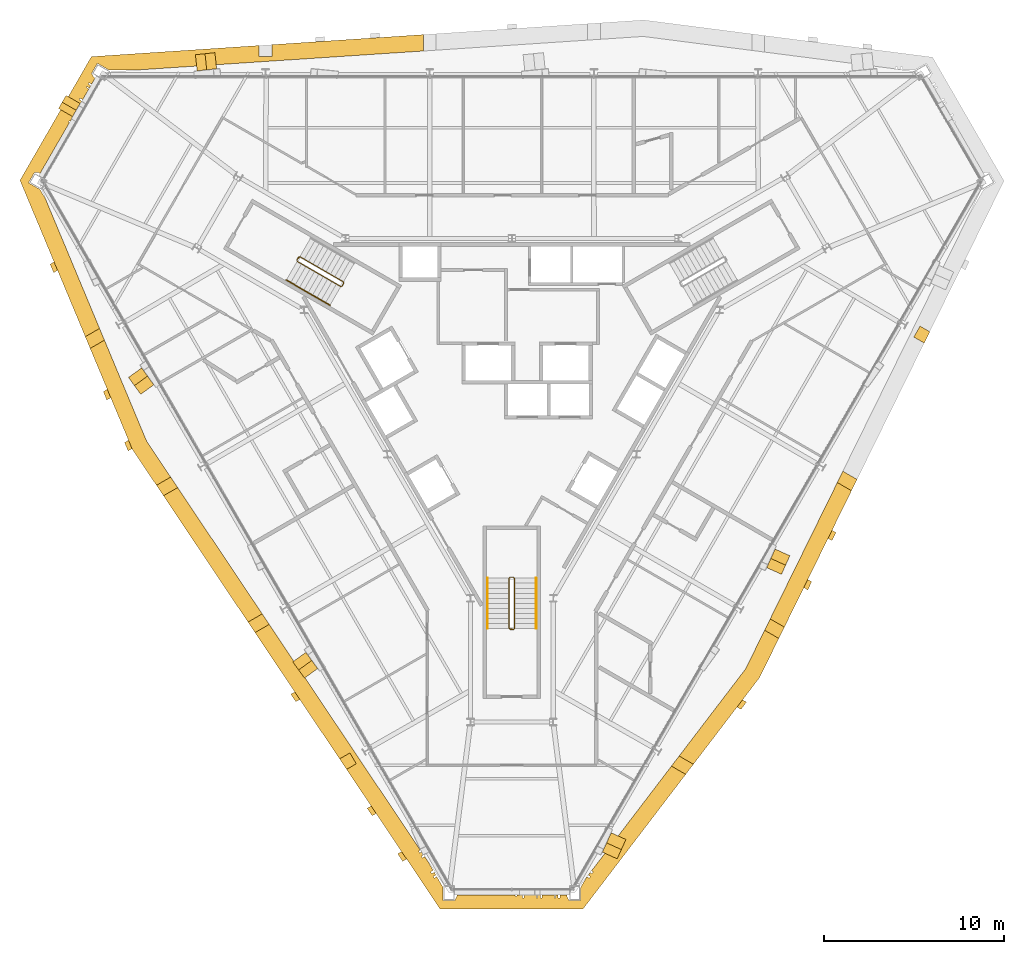
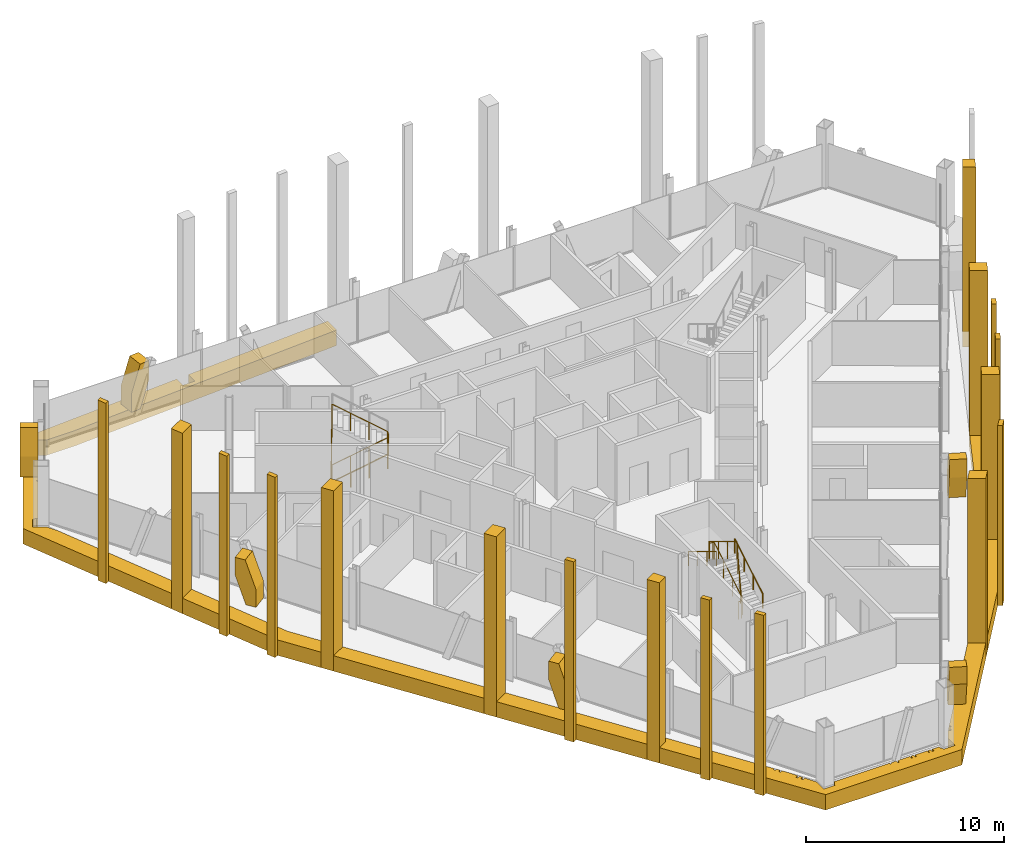
# One storey, part 15 of 16: 29 coverings, 5 railings.
"""IFC4 building model written with IfcOpenShell, lengths in metres."""

from ifc_helpers import new_model, si_unit, direction, frame, origin, origin_2d, place, context, subcontext, project, spatial, polyline, circle, outline, extrude, material, layer, layer_set, type_object, element, save


model = new_model("IFC4")

# Units and contexts
model_context = context("Model", 3, precision=1e-05, world=origin(), true_north=direction((0.0, 1.0)))
body_context = subcontext(model_context, "Body", "Model", "MODEL_VIEW")
ifc_project = project(units=[si_unit("LENGTHUNIT", "METRE"), si_unit("AREAUNIT", "SQUARE_METRE"), si_unit("VOLUMEUNIT", "CUBIC_METRE"), si_unit("PLANEANGLEUNIT", "RADIAN"), si_unit("MASSUNIT", "GRAM", prefix="KILO")], contexts=[model_context])

# Site, building, storey
site_placement = place(None, origin())
site = spatial("IfcSite", under=ifc_project, at=site_placement, CompositionType="ELEMENT")
building_placement = place(site_placement, origin())
building = spatial("IfcBuilding", under=site, at=building_placement, Name="Verrane Prism Tower", CompositionType="ELEMENT")
storey_placement = place(building_placement, frame((0.0, 0.0, 247.10009765625)))
storey = spatial("IfcBuildingStorey", under=building, at=storey_placement, Name="L62", CompositionType="ELEMENT", Elevation=247.10009765625)

# Railings
ifc_material_1 = material(Name="Steel A36 rail and posts, no infill", Category="steel")
railing_type_1 = type_object("IfcRailingType", Name="Stair guard 1100 steel rail and posts", PredefinedType="GUARDRAIL", material=ifc_material_1)
railing_1_placement = place(storey_placement, frame((-11.939453125, 6.72021484375, 0.16796875)))
element("IfcRailing", 1, at=railing_1_placement, inside=storey, type_object=railing_type_1, Name="Stair 2 guard", PredefinedType="GUARDRAIL", context=body_context, shape_type="SweptSolid", body=[
    extrude(circle(Radius=0.02392578125, at=origin_2d()), frame((0.0, 0.0, 1.076171875), z_axis=(0.742366697286, -0.42866220388, 0.514917859203), x_axis=(0.500049511043, 0.865996816683, 0.0)), (0.0, 0.0, 1.0), 3.266357421875),
    extrude(circle(Radius=0.02392578125, at=origin_2d()), frame((2.4248046875, -1.400146484375, 2.7578125), z_axis=(0.965948051503, 0.258736085224, 0.0), x_axis=(-0.258736085224, 0.965948051503, 0.0)), (0.0, 0.0, 1.0), 0.07080078125),
    extrude(circle(Radius=0.02392578125, at=origin_2d()), frame((2.4931640625, -1.3818359375, 2.7578125), z_axis=(0.499158860599, 0.866510491504, 0.0), x_axis=(-0.866510491504, 0.499158860599, 0.0)), (0.0, 0.0, 1.0), 0.199951171875),
    extrude(circle(Radius=0.02392578125, at=origin_2d()), frame((2.593017578125, -1.20849609375, 2.7578125), z_axis=(-0.100385596638, 0.373434419493, 0.922209014446), x_axis=(-0.965715946433, -0.259601060869, 0.0)), (0.0, 0.0, 1.0), 0.182373046875),
    extrude(circle(Radius=0.02392578125, at=origin_2d()), frame((2.57470703125, -1.140380859375, 2.92626953125), z_axis=(-0.742366697286, 0.42866220388, 0.514917859203), x_axis=(-0.500049511043, -0.865996816683, 0.0)), (0.0, 0.0, 1.0), 3.266357421875),
    extrude(circle(Radius=0.02392578125, at=origin_2d()), frame((0.14990234375, 0.259765625, 4.60791015625), z_axis=(-0.04535595117, -0.051675503147, -0.99763343973), x_axis=(0.751567565678, -0.659656118156, 0.0)), (0.0, 0.0, 1.0), 3.708740234375),
    extrude(circle(Radius=0.02392578125, at=origin_2d()), frame((-0.018310546875, 0.068115234375, 0.908203125), z_axis=(0.499158860599, 0.866510491504, 0.0), x_axis=(-0.866510491504, 0.499158860599, 0.0)), (0.0, 0.0, 1.0), 0.199951171875),
    extrude(circle(Radius=0.02099609375, at=origin_2d()), origin(), (0.0, 0.0, 1.0), 1.052001953125),
    extrude(circle(Radius=0.02099609375, at=origin_2d()), frame((0.808349609375, -0.466796875, 0.560546875)), (0.0, 0.0, 1.0), 1.052001953125),
    extrude(circle(Radius=0.02099609375, at=origin_2d()), frame((1.616455078125, -0.933349609375, 1.121337890625)), (0.0, 0.0, 1.0), 1.052001953125),
    extrude(circle(Radius=0.02099609375, at=origin_2d()), frame((2.4248046875, -1.400146484375, 1.681884765625)), (0.0, 0.0, 1.0), 1.052001953125),
    extrude(circle(Radius=0.02099609375, at=origin_2d()), frame((2.4931640625, -1.3818359375, 1.681884765625)), (0.0, 0.0, 1.0), 1.052001953125),
    extrude(circle(Radius=0.02099609375, at=origin_2d()), frame((2.593017578125, -1.20849609375, 1.681884765625)), (0.0, 0.0, 1.0), 1.052001953125),
    extrude(circle(Radius=0.02099609375, at=origin_2d()), frame((2.57470703125, -1.140380859375, 1.85009765625)), (0.0, 0.0, 1.0), 1.052001953125),
    extrude(circle(Radius=0.02099609375, at=origin_2d()), frame((1.766357421875, -0.673583984375, 2.41064453125)), (0.0, 0.0, 1.0), 1.052001953125),
    extrude(circle(Radius=0.02099609375, at=origin_2d()), frame((0.958251953125, -0.20703125, 2.971435546875)), (0.0, 0.0, 1.0), 1.052001953125),
    extrude(circle(Radius=0.02099609375, at=origin_2d()), frame((0.14990234375, 0.259765625, 3.531982421875)), (0.0, 0.0, 1.0), 1.052001953125),
    extrude(circle(Radius=0.02099609375, at=origin_2d()), frame((0.10791015625, 0.2119140625, 2.60693359375)), (0.0, 0.0, 1.0), 1.052001953125),
    extrude(circle(Radius=0.02099609375, at=origin_2d()), frame((0.06591796875, 0.1640625, 1.68212890625)), (0.0, 0.0, 1.0), 1.052001953125),
    extrude(circle(Radius=0.02099609375, at=origin_2d()), frame((0.023681640625, 0.115966796875, 0.757080078125)), (0.0, 0.0, 1.0), 1.052001953125),
    extrude(circle(Radius=0.02099609375, at=origin_2d()), frame((-0.018310546875, 0.068115234375, -0.16796875)), (0.0, 0.0, 1.0), 1.052001953125),
    extrude(circle(Radius=0.02099609375, at=origin_2d()), frame((0.08154296875, 0.241455078125, -0.16796875)), (0.0, 0.0, 1.0), 1.052001953125),
])
railing_2_placement = place(storey_placement, frame((0.14990234375, -13.699951171875, 0.16796875)))
element("IfcRailing", 2, at=railing_2_placement, inside=storey, type_object=railing_type_1, Name="Stair 3 guard", PredefinedType="GUARDRAIL", context=body_context, shape_type="SweptSolid", body=[
    extrude(circle(Radius=0.02392578125, at=origin_2d()), frame((0.0, 0.0, 1.076171875), z_axis=(0.0, 0.857242210791, 0.514913383045), x_axis=(-1.0, 0.0, 0.0)), (0.0, 0.0, 1.0), 3.266357421875),
    extrude(circle(Radius=0.02392578125, at=origin_2d()), frame((0.0, 2.800048828125, 2.7578125), z_axis=(-0.707106781187, 0.707106781187, 0.0), x_axis=(-0.707106781187, -0.707106781187, 0.0)), (0.0, 0.0, 1.0), 0.0703125),
    extrude(circle(Radius=0.02392578125, at=origin_2d()), frame((-0.0498046875, 2.849853515625, 2.7578125), z_axis=(-1.0, 0.0, 0.0), x_axis=(0.0, -1.0, 0.0)), (0.0, 0.0, 1.0), 0.2001953125),
    extrude(circle(Radius=0.02392578125, at=origin_2d()), frame((-0.25, 2.849853515625, 2.7578125), z_axis=(-0.273106073848, -0.273106073848, 0.922402376869), x_axis=(0.707106781187, -0.707106781187, 0.0)), (0.0, 0.0, 1.0), 0.182373046875),
    extrude(circle(Radius=0.02392578125, at=origin_2d()), frame((-0.2998046875, 2.800048828125, 2.92626953125), z_axis=(0.0, -0.857242210791, 0.514913383045), x_axis=(1.0, 0.0, 0.0)), (0.0, 0.0, 1.0), 3.266357421875),
    extrude(circle(Radius=0.02392578125, at=origin_2d()), frame((-0.2998046875, 0.0, 4.60791015625), z_axis=(0.067408604812, -0.013494886706, -0.997634185476), x_axis=(0.196300278283, 0.98054382908, 0.0)), (0.0, 0.0, 1.0), 3.708740234375),
    extrude(circle(Radius=0.02392578125, at=origin_2d()), frame((-0.0498046875, -0.050048828125, 0.908203125), z_axis=(-1.0, 0.0, 0.0), x_axis=(0.0, -1.0, 0.0)), (0.0, 0.0, 1.0), 0.2001953125),
    extrude(circle(Radius=0.02099609375, at=origin_2d()), origin(), (0.0, 0.0, 1.0), 1.052001953125),
    extrude(circle(Radius=0.02099609375, at=origin_2d()), frame((0.0, 0.933349609375, 0.560546875)), (0.0, 0.0, 1.0), 1.052001953125),
    extrude(circle(Radius=0.02099609375, at=origin_2d()), frame((0.0, 1.86669921875, 1.121337890625)), (0.0, 0.0, 1.0), 1.052001953125),
    extrude(circle(Radius=0.02099609375, at=origin_2d()), frame((0.0, 2.800048828125, 1.681884765625)), (0.0, 0.0, 1.0), 1.052001953125),
    extrude(circle(Radius=0.02099609375, at=origin_2d()), frame((-0.0498046875, 2.849853515625, 1.681884765625)), (0.0, 0.0, 1.0), 1.052001953125),
    extrude(circle(Radius=0.02099609375, at=origin_2d()), frame((-0.25, 2.849853515625, 1.681884765625)), (0.0, 0.0, 1.0), 1.052001953125),
    extrude(circle(Radius=0.02099609375, at=origin_2d()), frame((-0.2998046875, 2.800048828125, 1.85009765625)), (0.0, 0.0, 1.0), 1.052001953125),
    extrude(circle(Radius=0.02099609375, at=origin_2d()), frame((-0.2998046875, 1.86669921875, 2.41064453125)), (0.0, 0.0, 1.0), 1.052001953125),
    extrude(circle(Radius=0.02099609375, at=origin_2d()), frame((-0.2998046875, 0.933349609375, 2.971435546875)), (0.0, 0.0, 1.0), 1.052001953125),
    extrude(circle(Radius=0.02099609375, at=origin_2d()), frame((-0.2998046875, 0.0, 3.531982421875)), (0.0, 0.0, 1.0), 1.052001953125),
    extrude(circle(Radius=0.02099609375, at=origin_2d()), frame((-0.2373046875, -0.012451171875, 2.60693359375)), (0.0, 0.0, 1.0), 1.052001953125),
    extrude(circle(Radius=0.02099609375, at=origin_2d()), frame((-0.1748046875, -0.02490234375, 1.68212890625)), (0.0, 0.0, 1.0), 1.052001953125),
    extrude(circle(Radius=0.02099609375, at=origin_2d()), frame((-0.1123046875, -0.03759765625, 0.757080078125)), (0.0, 0.0, 1.0), 1.052001953125),
    extrude(circle(Radius=0.02099609375, at=origin_2d()), frame((-0.0498046875, -0.050048828125, -0.16796875)), (0.0, 0.0, 1.0), 1.052001953125),
    extrude(circle(Radius=0.02099609375, at=origin_2d()), frame((-0.25, -0.050048828125, -0.16796875)), (0.0, 0.0, 1.0), 1.052001953125),
])
ifc_material_2 = material(Name="Steel A36 tube", Category="steel")
railing_type_2 = type_object("IfcRailingType", Name="Stair handrail 900 steel tube", PredefinedType="HANDRAIL", material=ifc_material_2)
railing_3_placement = place(storey_placement, frame((-12.53955078125, 5.680908203125, 0.16796875)))
element("IfcRailing", 3, at=railing_3_placement, inside=storey, type_object=railing_type_2, Name="Stair 2 handrail", PredefinedType="HANDRAIL", context=body_context, shape_type="SweptSolid", body=[
    extrude(circle(Radius=0.02392578125, at=origin_2d()), frame((0.0, 0.0, 0.8759765625), z_axis=(0.742366697286, -0.42866220388, 0.514917859203), x_axis=(0.500049511043, 0.865996816683, 0.0)), (0.0, 0.0, 1.0), 3.266357421875),
    extrude(circle(Radius=0.02099609375, at=origin_2d()), origin(), (0.0, 0.0, 1.0), 0.851806640625),
    extrude(circle(Radius=0.02099609375, at=origin_2d()), frame((0.808349609375, -0.466796875, 0.560546875)), (0.0, 0.0, 1.0), 0.851806640625),
    extrude(circle(Radius=0.02099609375, at=origin_2d()), frame((1.616455078125, -0.933349609375, 1.121337890625)), (0.0, 0.0, 1.0), 0.851806640625),
    extrude(circle(Radius=0.02099609375, at=origin_2d()), frame((2.4248046875, -1.400146484375, 1.681884765625)), (0.0, 0.0, 1.0), 0.851806640625),
])
railing_4_placement = place(storey_placement, frame((1.35009765625, -13.699951171875, 0.16796875)))
element("IfcRailing", 4, at=railing_4_placement, inside=storey, type_object=railing_type_2, Name="Stair 3 handrail", PredefinedType="HANDRAIL", context=body_context, shape_type="SweptSolid", body=[
    extrude(circle(Radius=0.02392578125, at=origin_2d()), frame((0.0, 0.0, 0.8759765625), z_axis=(0.0, 0.857242210791, 0.514913383045), x_axis=(-1.0, 0.0, 0.0)), (0.0, 0.0, 1.0), 3.266357421875),
    extrude(circle(Radius=0.02099609375, at=origin_2d()), origin(), (0.0, 0.0, 1.0), 0.851806640625),
    extrude(circle(Radius=0.02099609375, at=origin_2d()), frame((0.0, 0.933349609375, 0.560546875)), (0.0, 0.0, 1.0), 0.851806640625),
    extrude(circle(Radius=0.02099609375, at=origin_2d()), frame((0.0, 1.86669921875, 1.121337890625)), (0.0, 0.0, 1.0), 0.851806640625),
    extrude(circle(Radius=0.02099609375, at=origin_2d()), frame((0.0, 2.800048828125, 1.681884765625)), (0.0, 0.0, 1.0), 0.851806640625),
])
railing_5_placement = place(storey_placement, frame((-1.35009765625, -10.89990234375, 2.01806640625)))
element("IfcRailing", 5, at=railing_5_placement, inside=storey, type_object=railing_type_2, Name="Stair 3 handrail", PredefinedType="HANDRAIL", context=body_context, shape_type="SweptSolid", body=[
    extrude(circle(Radius=0.02392578125, at=origin_2d()), frame((0.0, 0.0, 0.8759765625), z_axis=(0.0, -0.857242210791, 0.514913383045), x_axis=(1.0, 0.0, 0.0)), (0.0, 0.0, 1.0), 3.266357421875),
    extrude(circle(Radius=0.02099609375, at=origin_2d()), origin(), (0.0, 0.0, 1.0), 0.851806640625),
    extrude(circle(Radius=0.02099609375, at=origin_2d()), frame((0.0, -0.933349609375, 0.560546875)), (0.0, 0.0, 1.0), 0.851806640625),
    extrude(circle(Radius=0.02099609375, at=origin_2d()), frame((0.0, -1.86669921875, 1.121337890625)), (0.0, 0.0, 1.0), 0.851806640625),
    extrude(circle(Radius=0.02099609375, at=origin_2d()), frame((0.0, -2.800048828125, 1.681884765625)), (0.0, 0.0, 1.0), 0.851806640625),
])

# Coverings
ifc_material_3 = material(Name="Warm limestone cladding", Category="masonry")
ifc_layer_1 = layer(ifc_material_3, 0.89990234375)
ifc_layer_set_1 = layer_set([ifc_layer_1], Name="Stone brace fin 900")
covering_type_1 = type_object("IfcCoveringType", Name="Stone brace fin 900", PredefinedType="CLADDING", material=ifc_layer_set_1)
covering_1_placement = place(storey_placement, frame((-17.54931640625, 17.76416015625, 0.0), z_axis=(0.0, 0.0, 1.0), x_axis=(0.994389414764, 0.105781339592, 0.0)))
element("IfcCovering", 6, at=covering_1_placement, inside=storey, type_object=covering_type_1, Name="Stone brace fin N5 L62", PredefinedType="CLADDING", context=body_context, shape_type="SweptSolid", body=[
    extrude(outline(polyline([(1.089599609375, 2.75), (0.535888671875, 2.75), (0.0, 1.177978515625), (0.0, 0.0), (0.54931640625, 0.0), (1.089599609375, 1.584716796875), (1.089599609375, 2.75)])), frame((0.0, 0.449951171875, 0.0), z_axis=(0.0, -1.0, 0.0), x_axis=(1.0, 0.0, 0.0)), (0.0, 0.0, 1.0), 0.89990234375),
])
covering_2_placement = place(storey_placement, frame((-20.278076171875, -0.4091796875, 0.0), z_axis=(0.0, 0.0, 1.0), x_axis=(-0.583013906426, 0.812462174451, 0.0)))
element("IfcCovering", 7, at=covering_2_placement, inside=storey, type_object=covering_type_1, Name="Stone brace fin SW2 L62", PredefinedType="CLADDING", context=body_context, shape_type="SweptSolid", body=[
    extrude(outline(polyline([(1.156982421875, 2.75), (0.59521484375, 2.75), (0.0, 1.10546875), (0.0, 0.0), (0.556884765625, 0.0), (1.156982421875, 1.6572265625), (1.156982421875, 2.75)])), frame((0.0, 0.449951171875, 0.0), z_axis=(0.0, -1.0, 0.0), x_axis=(1.0, 0.0, 0.0)), (0.0, 0.0, 1.0), 0.89990234375),
])
covering_3_placement = place(storey_placement, frame((-11.166015625, -16.189208984375, 0.0), z_axis=(0.0, 0.0, 1.0), x_axis=(-0.587492692332, 0.809229470828, 0.0)))
element("IfcCovering", 8, at=covering_3_placement, inside=storey, type_object=covering_type_1, Name="Stone brace fin SW4 L62", PredefinedType="CLADDING", context=body_context, shape_type="SweptSolid", body=[
    extrude(outline(polyline([(1.112060546875, 2.75), (0.5556640625, 2.75), (0.0, 1.152587890625), (0.0, 0.0), (0.552001953125, 0.0), (1.112060546875, 1.610107421875), (1.112060546875, 2.75)])), frame((0.0, 0.449951171875, 0.0), z_axis=(0.0, -1.0, 0.0), x_axis=(1.0, 0.0, 0.0)), (0.0, 0.0, 1.0), 0.89990234375),
])
covering_4_placement = place(storey_placement, frame((5.935302734375, -25.2451171875, 0.0), z_axis=(0.0, 0.0, 1.0), x_axis=(-0.41374063001, -0.910394799567, 0.0)))
element("IfcCovering", 9, at=covering_4_placement, inside=storey, type_object=covering_type_1, Name="Stone brace fin SE1 L62", PredefinedType="CLADDING", context=body_context, shape_type="SweptSolid", body=[
    extrude(outline(polyline([(1.180908203125, 2.75), (0.616455078125, 2.75), (0.0, 1.08154296875), (0.0, 0.0), (0.559814453125, 0.0), (1.180908203125, 1.680908203125), (1.180908203125, 2.75)])), frame((0.0, 0.449951171875, 0.0), z_axis=(0.0, -1.0, 0.0), x_axis=(1.0, 0.0, 0.0)), (0.0, 0.0, 1.0), 0.89990234375),
])
covering_5_placement = place(storey_placement, frame((15.050537109375, -9.465087890625, 0.0), z_axis=(0.0, 0.0, 1.0), x_axis=(-0.409290681617, -0.912404043142, 0.0)))
element("IfcCovering", 10, at=covering_5_placement, inside=storey, type_object=covering_type_1, Name="Stone brace fin SE3 L62", PredefinedType="CLADDING", context=body_context, shape_type="SweptSolid", body=[
    extrude(outline(polyline([(1.134521484375, 2.75), (0.57568359375, 2.75), (0.0, 1.12841796875), (0.0, 0.0), (0.554443359375, 0.0), (1.134521484375, 1.63427734375), (1.134521484375, 2.75)])), frame((0.0, 0.449951171875, 0.0), z_axis=(0.0, -1.0, 0.0), x_axis=(1.0, 0.0, 0.0)), (0.0, 0.0, 1.0), 0.89990234375),
])
covering_6_placement = place(storey_placement, frame((-24.822021484375, 14.998779296875, 0.0), z_axis=(0.0, 0.0, 1.0), x_axis=(0.499605169263, 0.866253239443, 0.0)))
element("IfcCovering", 11, at=covering_6_placement, inside=storey, type_object=covering_type_1, Name="Stone brace fin NW1 L62", PredefinedType="CLADDING", context=body_context, shape_type="SweptSolid", body=[
    extrude(outline(polyline([(0.8408203125, 2.75), (0.40380859375, 2.75), (0.0, 1.25732421875), (0.0, 0.0), (0.471435546875, 0.0), (0.8408203125, 1.365478515625), (0.8408203125, 2.75)])), frame((0.0, 0.449951171875, 0.0), z_axis=(0.0, -1.0, 0.0), x_axis=(1.0, 0.0, 0.0)), (0.0, 0.0, 1.0), 0.89990234375),
])
ifc_material_4 = material(Name="Warm limestone cladding", Category="masonry")
covering_type_2 = type_object("IfcCoveringType", Name="Stone mullion pier 500", PredefinedType="CLADDING", material=ifc_material_4)
covering_7_placement = place(storey_placement, frame((0.0, 0.0, -0.9501953125)))
element("IfcCovering", 12, at=covering_7_placement, inside=storey, type_object=covering_type_2, Name="Stone pier SM-SW0.1 L62-L64", PredefinedType="CLADDING", context=body_context, shape_type="SweptSolid", body=[
    extrude(outline(polyline([(-25.26318359375, 6.2216796875), (-25.45751953125, 6.68701171875), (-25.67578125, 6.560791015625), (-25.4814453125, 6.095703125), (-25.26318359375, 6.2216796875)])), origin(), (0.0, 0.0, 1.0), 11.10009765625),
])
covering_8_placement = place(storey_placement, frame((0.0, 0.0, -0.9501953125)))
element("IfcCovering", 13, at=covering_8_placement, inside=storey, type_object=covering_type_2, Name="Stone pier SM-SW1.1 L62-L64", PredefinedType="CLADDING", context=body_context, shape_type="SweptSolid", body=[
    extrude(outline(polyline([(-22.305908203125, -0.861083984375), (-22.500244140625, -0.39599609375), (-22.718505859375, -0.52197265625), (-22.5244140625, -0.987060546875), (-22.305908203125, -0.861083984375)])), origin(), (0.0, 0.0, 1.0), 11.10009765625),
])
covering_9_placement = place(storey_placement, frame((0.0, 0.0, -0.9501953125)))
element("IfcCovering", 14, at=covering_9_placement, inside=storey, type_object=covering_type_2, Name="Stone pier SM-SW1.2 L62-L64", PredefinedType="CLADDING", context=body_context, shape_type="SweptSolid", body=[
    extrude(outline(polyline([(-21.123291015625, -3.694091796875), (-21.3173828125, -3.22900390625), (-21.53564453125, -3.35498046875), (-21.341552734375, -3.8203125), (-21.123291015625, -3.694091796875)])), origin(), (0.0, 0.0, 1.0), 11.10009765625),
])
covering_10_placement = place(storey_placement, frame((0.0, 0.0, -0.9501953125)))
element("IfcCovering", 15, at=covering_10_placement, inside=storey, type_object=covering_type_2, Name="Stone pier SM-SW3.1 L62-L64", PredefinedType="CLADDING", context=body_context, shape_type="SweptSolid", body=[
    extrude(outline(polyline([(-11.791748046875, -17.644775390625), (-12.070556640625, -17.228271484375), (-12.28759765625, -17.353515625), (-12.0087890625, -17.77001953125), (-11.791748046875, -17.644775390625)])), origin(), (0.0, 0.0, 1.0), 11.10009765625),
])
covering_11_placement = place(storey_placement, frame((0.0, 0.0, -0.9501953125)))
element("IfcCovering", 16, at=covering_11_placement, inside=storey, type_object=covering_type_2, Name="Stone pier SM-SW4.1 L62-L64", PredefinedType="CLADDING", context=body_context, shape_type="SweptSolid", body=[
    extrude(outline(polyline([(-7.548095703125, -23.984619140625), (-7.826904296875, -23.568359375), (-8.0439453125, -23.693603515625), (-7.76513671875, -24.110107421875), (-7.548095703125, -23.984619140625)])), origin(), (0.0, 0.0, 1.0), 11.10009765625),
])
covering_12_placement = place(storey_placement, frame((0.0, 0.0, -0.9501953125)))
element("IfcCovering", 17, at=covering_12_placement, inside=storey, type_object=covering_type_2, Name="Stone pier SM-SW4.2 L62-L64", PredefinedType="CLADDING", context=body_context, shape_type="SweptSolid", body=[
    extrude(outline(polyline([(-5.8505859375, -26.520751953125), (-6.12939453125, -26.104248046875), (-6.346435546875, -26.2294921875), (-6.067626953125, -26.64599609375), (-5.8505859375, -26.520751953125)])), origin(), (0.0, 0.0, 1.0), 11.10009765625),
])
covering_13_placement = place(storey_placement, frame((0.0, 0.0, -0.9501953125)))
element("IfcCovering", 18, at=covering_13_placement, inside=storey, type_object=covering_type_2, Name="Stone pier SM-SE1.1 L62-L64", PredefinedType="CLADDING", context=body_context, shape_type="SweptSolid", body=[
    extrude(outline(polyline([(12.829833984375, -17.66650390625), (12.52392578125, -18.0673828125), (12.7421875, -18.193359375), (13.048095703125, -17.79248046875), (12.829833984375, -17.66650390625)])), origin(), (0.0, 0.0, 1.0), 11.10009765625),
])
covering_14_placement = place(storey_placement, frame((0.0, 0.0, -0.9501953125)))
element("IfcCovering", 19, at=covering_14_placement, inside=storey, type_object=covering_type_2, Name="Stone pier SM-SE2.1 L62-L64", PredefinedType="CLADDING", context=body_context, shape_type="SweptSolid", body=[
    extrude(outline(polyline([(16.460205078125, -10.97265625), (16.239013671875, -11.42236328125), (16.4560546875, -11.547607421875), (16.67724609375, -11.097900390625), (16.460205078125, -10.97265625)])), origin(), (0.0, 0.0, 1.0), 11.10009765625),
])
covering_15_placement = place(storey_placement, frame((0.0, 0.0, -0.9501953125)))
element("IfcCovering", 20, at=covering_15_placement, inside=storey, type_object=covering_type_2, Name="Stone pier SM-SE2.2 L62-L64", PredefinedType="CLADDING", context=body_context, shape_type="SweptSolid", body=[
    extrude(outline(polyline([(17.807861328125, -8.234619140625), (17.58642578125, -8.684326171875), (17.803466796875, -8.8095703125), (18.02490234375, -8.360107421875), (17.807861328125, -8.234619140625)])), origin(), (0.0, 0.0, 1.0), 11.10009765625),
])
ifc_material_5 = material(Name="Warm limestone cladding", Category="masonry")
covering_type_3 = type_object("IfcCoveringType", Name="Stone pier 700", PredefinedType="CLADDING", material=ifc_material_5)
covering_16_placement = place(storey_placement, frame((0.0, 0.0, -0.9501953125)))
element("IfcCovering", 21, at=covering_16_placement, inside=storey, type_object=covering_type_3, Name="Stone pier PC-SW1 L62-L64", PredefinedType="CLADDING", context=body_context, shape_type="SweptSolid", body=[
    extrude(outline(polyline([(-23.4501953125, 1.879150390625), (-22.65576171875, 2.337646484375), (-22.927490234375, 2.989013671875), (-23.721923828125, 2.530517578125), (-23.4501953125, 1.879150390625)])), origin(), (0.0, 0.0, 1.0), 11.10009765625),
])
covering_17_placement = place(storey_placement, frame((0.0, 0.0, -0.9501953125)))
element("IfcCovering", 22, at=covering_17_placement, inside=storey, type_object=covering_type_3, Name="Stone pier PC-SW2 L62-L64", PredefinedType="CLADDING", context=body_context, shape_type="SweptSolid", body=[
    extrude(outline(polyline([(-19.37451171875, -6.31591796875), (-18.584716796875, -5.860107421875), (-18.97509765625, -5.277099609375), (-19.7646484375, -5.73291015625), (-19.37451171875, -6.31591796875)])), origin(), (0.0, 0.0, 1.0), 11.10009765625),
])
covering_18_placement = place(storey_placement, frame((0.0, 0.0, -0.9501953125)))
element("IfcCovering", 23, at=covering_18_placement, inside=storey, type_object=covering_type_3, Name="Stone pier PC-SW3 L62-L64", PredefinedType="CLADDING", context=body_context, shape_type="SweptSolid", body=[
    extrude(outline(polyline([(-14.2822265625, -13.924072265625), (-13.492431640625, -13.468017578125), (-13.8828125, -12.885009765625), (-14.67236328125, -13.341064453125), (-14.2822265625, -13.924072265625)])), origin(), (0.0, 0.0, 1.0), 11.10009765625),
])
covering_19_placement = place(storey_placement, frame((0.0, 0.0, -0.9501953125)))
element("IfcCovering", 24, at=covering_19_placement, inside=storey, type_object=covering_type_3, Name="Stone pier PC-SW4 L62-L64", PredefinedType="CLADDING", context=body_context, shape_type="SweptSolid", body=[
    extrude(outline(polyline([(-8.65380859375, -21.222412109375), (-8.82861328125, -20.91943359375), (-9.003662109375, -20.6162109375), (-9.580078125, -20.948974609375), (-9.189697265625, -21.531982421875), (-8.65380859375, -21.222412109375)])), origin(), (0.0, 0.0, 1.0), 11.10009765625),
])
covering_20_placement = place(storey_placement, frame((0.0, 0.0, -0.9501953125)))
element("IfcCovering", 25, at=covering_20_placement, inside=storey, type_object=covering_type_3, Name="Stone pier PC-SE1 L62-L64", PredefinedType="CLADDING", context=body_context, shape_type="SweptSolid", body=[
    extrude(outline(polyline([(10.09765625, -21.247802734375), (9.30322265625, -20.789306640625), (8.875244140625, -21.350341796875), (9.669677734375, -21.80908203125), (10.09765625, -21.247802734375)])), origin(), (0.0, 0.0, 1.0), 11.10009765625),
])
covering_21_placement = place(storey_placement, frame((0.0, 0.0, -0.9501953125)))
element("IfcCovering", 26, at=covering_21_placement, inside=storey, type_object=covering_type_3, Name="Stone pier PC-SE2 L62-L64", PredefinedType="CLADDING", context=body_context, shape_type="SweptSolid", body=[
    extrude(outline(polyline([(15.156982421875, -13.620849609375), (14.367431640625, -13.164794921875), (14.0576171875, -13.794189453125), (14.84716796875, -14.250244140625), (15.156982421875, -13.620849609375)])), origin(), (0.0, 0.0, 1.0), 11.10009765625),
])
covering_22_placement = place(storey_placement, frame((0.0, 0.0, -0.9501953125)))
element("IfcCovering", 27, at=covering_22_placement, inside=storey, type_object=covering_type_3, Name="Stone pier PC-SE3 L62-L64", PredefinedType="CLADDING", context=body_context, shape_type="SweptSolid", body=[
    extrude(outline(polyline([(19.19970703125, -5.40673828125), (18.409912109375, -4.95068359375), (18.10009765625, -5.580322265625), (18.889892578125, -6.0361328125), (19.19970703125, -5.40673828125)])), origin(), (0.0, 0.0, 1.0), 11.10009765625),
])
covering_23_placement = place(storey_placement, frame((0.0, 0.0, -0.9501953125)))
element("IfcCovering", 28, at=covering_23_placement, inside=storey, type_object=covering_type_3, Name="Stone pier PC-SE4 L62-L64", PredefinedType="CLADDING", context=body_context, shape_type="SweptSolid", body=[
    extrude(outline(polyline([(22.704345703125, 3.117919921875), (22.354248046875, 2.51171875), (22.932373046875, 2.177978515625), (23.2421875, 2.807373046875), (22.704345703125, 3.117919921875)])), origin(), (0.0, 0.0, 1.0), 11.10009765625),
])
ifc_material_6 = material(Name="Warm limestone cladding", Category="masonry")
ifc_layer_2 = layer(ifc_material_6, 0.449951171875)
ifc_layer_set_2 = layer_set([ifc_layer_2], Name="Stone spandrel band 450")
covering_type_4 = type_object("IfcCoveringType", Name="Stone spandrel band 450", PredefinedType="CLADDING", material=ifc_layer_set_2)
covering_24_placement = place(storey_placement, frame((0.0, 0.0, -0.9501953125)))
element("IfcCovering", 29, at=covering_24_placement, inside=storey, type_object=covering_type_4, Name="Stone spandrel band L62 part 2", PredefinedType="CLADDING", context=body_context, shape_type="SweptSolid", body=[
    extrude(outline(polyline([(-22.927490234375, 2.989013671875), (-25.93798828125, 10.19921875), (-26.239013671875, 10.720703125), (-26.87744140625, 11.089111328125), (-26.54736328125, 11.660888671875), (-26.5283203125, 11.64990234375), (-26.3095703125, 11.64990234375), (-26.237060546875, 11.60791015625), (-24.6005859375, 14.4423828125), (-24.656494140625, 14.430908203125), (-24.67138671875, 14.502685546875), (-24.551513671875, 14.52734375), (-24.414794921875, 14.76416015625), (-24.559814453125, 14.84765625), (-24.513671875, 14.927978515625), (-24.368408203125, 14.844482421875), (-24.023681640625, 15.44189453125), (-24.1689453125, 15.525634765625), (-24.139892578125, 15.576171875), (-23.994384765625, 15.492431640625), (-23.914306640625, 15.631103515625), (-24.059814453125, 15.715087890625), (-24.013671875, 15.795166015625), (-23.867919921875, 15.711181640625), (-23.523193359375, 16.30859375), (-23.6689453125, 16.392822265625), (-23.639892578125, 16.443359375), (-23.493896484375, 16.359130859375), (-23.4150390625, 16.495849609375), (-23.56103515625, 16.579833984375), (-23.51611328125, 16.65771484375), (-23.3701171875, 16.573486328125), (-23.172607421875, 16.915771484375), (-23.24755859375, 16.958984375), (-23.3583984375, 17.148193359375), (-23.37744140625, 17.1591796875), (-23.04736328125, 17.730712890625), (-22.410888671875, 17.36328125), (-20.827392578125, 17.36328125), (-4.91748046875, 18.4189453125), (-4.91748046875, 19.330810546875), (-13.352294921875, 18.77099609375), (-13.352294921875, 18.10986328125), (-14.05224609375, 18.10986328125), (-14.05224609375, 18.724609375), (-23.382080078125, 18.105712890625), (-27.353271484375, 11.2275390625), (-23.721923828125, 2.530517578125), (-22.927490234375, 2.989013671875)])), origin(), (0.0, 0.0, 1.0), 0.9501953125),
])
covering_25_placement = place(storey_placement, frame((0.0, 0.0, -0.9501953125)))
element("IfcCovering", 30, at=covering_25_placement, inside=storey, type_object=covering_type_4, Name="Stone spandrel band L62 part 3", PredefinedType="CLADDING", context=body_context, shape_type="SweptSolid", body=[
    extrude(outline(polyline([(3.953369140625, -29.302490234375), (9.669677734375, -21.80908203125), (8.875244140625, -21.350341796875), (4.427001953125, -27.181396484375), (4.51513671875, -27.232421875), (4.45703125, -27.333251953125), (4.355712890625, -27.274658203125), (4.248046875, -27.416015625), (4.369140625, -27.4853515625), (4.314208984375, -27.581298828125), (4.180419921875, -27.50439453125), (4.13623046875, -27.5625), (3.830078125, -28.093017578125), (3.830078125, -28.820068359375), (3.169921875, -28.820068359375), (3.169921875, -28.7978515625), (3.06201171875, -28.60888671875), (3.06201171875, -28.52587890625), (2.66748046875, -28.52587890625), (2.66748046875, -28.68994140625), (2.57763671875, -28.68994140625), (2.57763671875, -28.52587890625), (2.419921875, -28.52587890625), (2.419921875, -28.68994140625), (2.36181640625, -28.68994140625), (2.36181640625, -28.52587890625), (1.672607421875, -28.52587890625), (1.672607421875, -28.68994140625), (1.580078125, -28.68994140625), (1.580078125, -28.52587890625), (1.419921875, -28.52587890625), (1.419921875, -28.68994140625), (1.36181640625, -28.68994140625), (1.36181640625, -28.52587890625), (0.672607421875, -28.52587890625), (0.672607421875, -28.68994140625), (0.580078125, -28.68994140625), (0.580078125, -28.52587890625), (0.304443359375, -28.52587890625), (0.225830078125, -28.61474609375), (0.1708984375, -28.566162109375), (0.20654296875, -28.52587890625), (-3.06201171875, -28.52587890625), (-3.06201171875, -28.60888671875), (-3.169921875, -28.7978515625), (-3.169921875, -28.820068359375), (-3.830078125, -28.820068359375), (-3.830078125, -28.093017578125), (-4.17236328125, -27.499755859375), (-4.314208984375, -27.581298828125), (-4.369140625, -27.4853515625), (-4.2275390625, -27.404296875), (-4.31591796875, -27.25146484375), (-4.45703125, -27.333251953125), (-4.51513671875, -27.232421875), (-4.373779296875, -27.15087890625), (-4.623291015625, -26.718505859375), (-4.8466796875, -26.38525390625), (-4.965087890625, -26.45361328125), (-5.02099609375, -26.35693359375), (-4.908935546875, -26.292236328125), (-5.02001953125, -26.126220703125), (-5.125244140625, -26.173828125), (-5.175537109375, -26.06298828125), (-5.088623046875, -26.023681640625), (-13.492431640625, -13.468017578125), (-14.2822265625, -13.924072265625), (-9.580078125, -20.948974609375), (-9.003662109375, -20.6162109375), (-8.65380859375, -21.222412109375), (-9.189697265625, -21.531982421875), (-3.98876953125, -29.302490234375), (3.953369140625, -29.302490234375)])), origin(), (0.0, 0.0, 1.0), 0.9501953125),
])
covering_26_placement = place(storey_placement, frame((0.0, 0.0, -0.9501953125)))
element("IfcCovering", 31, at=covering_26_placement, inside=storey, type_object=covering_type_4, Name="Stone spandrel band L62 part 4", PredefinedType="CLADDING", context=body_context, shape_type="SweptSolid", body=[
    extrude(outline(polyline([(-19.7646484375, -5.73291015625), (-18.97509765625, -5.277099609375), (-20.3076171875, -3.2861328125), (-22.65576171875, 2.337646484375), (-23.4501953125, 1.879150390625), (-21.113037109375, -3.718505859375), (-19.7646484375, -5.73291015625)])), origin(), (0.0, 0.0, 1.0), 0.9501953125),
])
covering_27_placement = place(storey_placement, frame((0.0, 0.0, -0.9501953125)))
element("IfcCovering", 32, at=covering_27_placement, inside=storey, type_object=covering_type_4, Name="Stone spandrel band L62 part 5", PredefinedType="CLADDING", context=body_context, shape_type="SweptSolid", body=[
    extrude(outline(polyline([(-14.67236328125, -13.341064453125), (-13.8828125, -12.885009765625), (-18.584716796875, -5.860107421875), (-19.37451171875, -6.31591796875), (-14.67236328125, -13.341064453125)])), origin(), (0.0, 0.0, 1.0), 0.9501953125),
])
covering_28_placement = place(storey_placement, frame((0.0, 0.0, -0.9501953125)))
element("IfcCovering", 33, at=covering_28_placement, inside=storey, type_object=covering_type_4, Name="Stone spandrel band L62 part 6", PredefinedType="CLADDING", context=body_context, shape_type="SweptSolid", body=[
    extrude(outline(polyline([(14.84716796875, -14.250244140625), (14.0576171875, -13.794189453125), (12.999755859375, -15.94384765625), (9.30322265625, -20.789306640625), (10.09765625, -21.247802734375), (13.77685546875, -16.425048828125), (14.84716796875, -14.250244140625)])), origin(), (0.0, 0.0, 1.0), 0.9501953125),
])
covering_29_placement = place(storey_placement, frame((0.0, 0.0, -0.9501953125)))
element("IfcCovering", 34, at=covering_29_placement, inside=storey, type_object=covering_type_4, Name="Stone spandrel band L62 part 7", PredefinedType="CLADDING", context=body_context, shape_type="SweptSolid", body=[
    extrude(outline(polyline([(18.10009765625, -5.580322265625), (14.367431640625, -13.164794921875), (15.156982421875, -13.620849609375), (18.889892578125, -6.0361328125), (18.10009765625, -5.580322265625)])), origin(), (0.0, 0.0, 1.0), 0.9501953125),
])

save(model, "model.ifc")
